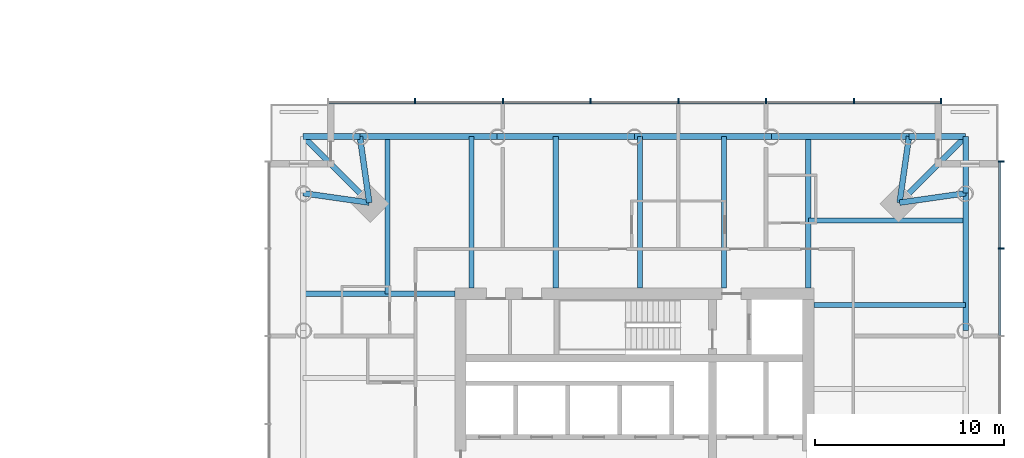
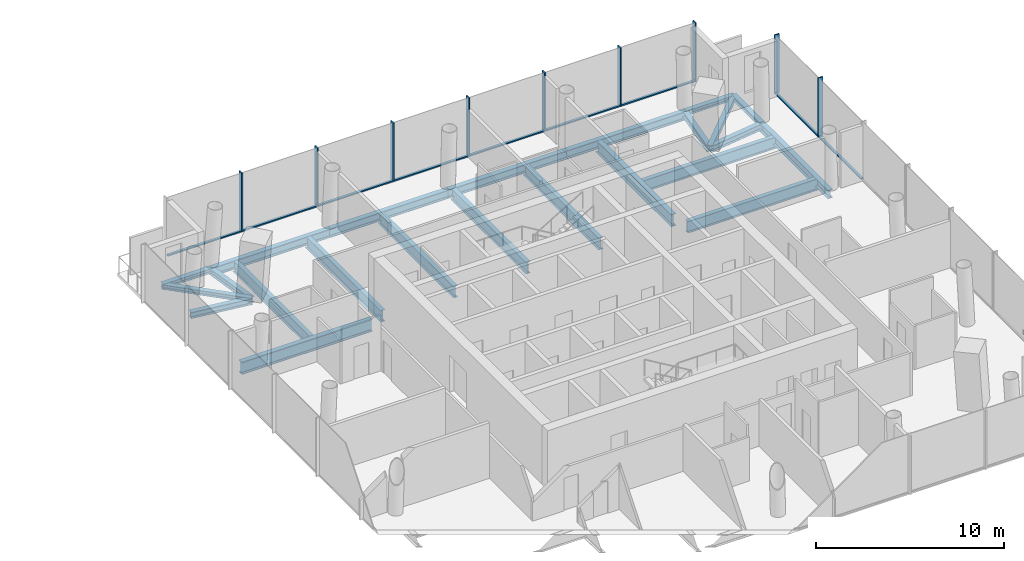
# One storey, part 5 of 18: 23 beams, 18 members, 2 elements without a shape of their own.
"""IFC4 building model written with IfcOpenShell, lengths in metres."""

from ifc_helpers import new_model, si_unit, direction, frame, origin, origin_2d, place, context, subcontext, project, spatial, rectangle, i_section, extrude, material, material_profile, profile_set, type_object, element, aggregate, save


model = new_model("IFC4")

# Units and contexts
model_context = context("Model", 3, precision=1e-05, world=origin(), true_north=direction((0.0, 1.0)))
body_context = subcontext(model_context, "Body", "Model", "MODEL_VIEW")
ifc_project = project(units=[si_unit("LENGTHUNIT", "METRE"), si_unit("AREAUNIT", "SQUARE_METRE"), si_unit("VOLUMEUNIT", "CUBIC_METRE"), si_unit("PLANEANGLEUNIT", "RADIAN"), si_unit("MASSUNIT", "GRAM", prefix="KILO")], contexts=[model_context])

# Site, building, storey
site_placement = place(None, origin())
site = spatial("IfcSite", under=ifc_project, at=site_placement, CompositionType="ELEMENT")
building_placement = place(site_placement, origin())
building = spatial("IfcBuilding", under=site, at=building_placement, Name="Ostroluk Exchange", CompositionType="ELEMENT")
storey_placement = place(building_placement, frame((0.0, 0.0, 55.199951171875)))
storey = spatial("IfcBuildingStorey", under=building, at=storey_placement, Name="L13", CompositionType="ELEMENT", Elevation=55.199951171875)

# Beams
ifc_material_1 = material(Name="Steel S355", Category="steel")
ifc_material_profile_1 = material_profile(ifc_material_1, i_section(OverallWidth=0.300048828125, OverallDepth=0.300048828125, WebThickness=0.010986328125, FlangeThickness=0.01904296875, FilletRadius=0.027099609375, at=origin_2d()), Name="HEB 300")
ifc_profile_set_1 = profile_set([ifc_material_profile_1], Name="Steel S355")
beam_type_1 = type_object("IfcBeamType", Name="Balcony beam HEB 300", PredefinedType="BEAM", material=ifc_profile_set_1)
for number, where, z_axis, x_axis, name in (
    (1, (134.52587890625, 60.52587890625, -0.349853515625), (0.0, 1.0, 0.0), (-1.0, 0.0, 0.0), "T2 east balcony beam a"),
    (2, (131.52587890625, 63.52587890625, -0.349853515625), (1.0, 0.0, 0.0), (0.0, 1.0, 0.0), "T2 east balcony beam b"),
):
    element("IfcBeam", number, at=place(storey_placement, frame(where, z_axis=z_axis, x_axis=x_axis)), inside=storey, type_object=beam_type_1, Name=name, PredefinedType="BEAM", context=body_context, shape_type="SweptSolid", body=[
        extrude(i_section(OverallWidth=0.300048828125, OverallDepth=0.300048828125, WebThickness=0.010986328125, FlangeThickness=0.01904296875, FilletRadius=0.027099609375, at=origin_2d()), origin(), (0.0, 0.0, 1.0), 3.0),
    ])
beam_1_placement = place(storey_placement, frame((131.02587890625, 60.02587890625, -0.349853515625), z_axis=(0.707106781187, 0.707106781187, 0.0), x_axis=(-0.707106781187, 0.707106781187, 0.0)))
element("IfcBeam", 3, at=beam_1_placement, inside=storey, type_object=beam_type_1, Name="T2 east balcony beam c", PredefinedType="BEAM", context=body_context, shape_type="SweptSolid", body=[
    extrude(i_section(OverallWidth=0.300048828125, OverallDepth=0.300048828125, WebThickness=0.010986328125, FlangeThickness=0.01904296875, FilletRadius=0.027099609375, at=origin_2d()), origin(), (0.0, 0.0, 1.0), 4.94970703125),
])
beam_2_placement = place(storey_placement, frame((102.47412109375, 63.52587890625, -0.349853515625), z_axis=(-1.0, 0.0, 0.0), x_axis=(0.0, -1.0, 0.0)))
element("IfcBeam", 4, at=beam_2_placement, inside=storey, type_object=beam_type_1, Name="T2 north balcony beam a", PredefinedType="BEAM", context=body_context, shape_type="SweptSolid", body=[
    extrude(i_section(OverallWidth=0.300048828125, OverallDepth=0.300048828125, WebThickness=0.010986328125, FlangeThickness=0.01904296875, FilletRadius=0.027099609375, at=origin_2d()), origin(), (0.0, 0.0, 1.0), 3.0),
])
beam_3_placement = place(storey_placement, frame((102.97412109375, 60.02587890625, -0.349853515625), z_axis=(-0.707106781187, 0.707106781187, 0.0), x_axis=(-0.707106781187, -0.707106781187, 0.0)))
element("IfcBeam", 5, at=beam_3_placement, inside=storey, type_object=beam_type_1, Name="T2 north balcony beam c", PredefinedType="BEAM", context=body_context, shape_type="SweptSolid", body=[
    extrude(i_section(OverallWidth=0.300048828125, OverallDepth=0.300048828125, WebThickness=0.010986328125, FlangeThickness=0.01904296875, FilletRadius=0.027099609375, at=origin_2d()), origin(), (0.0, 0.0, 1.0), 4.94970703125),
])
ifc_material_2 = material(Name="Steel S355", Category="steel")
ifc_material_profile_2 = material_profile(ifc_material_2, i_section(OverallWidth=0.300048828125, OverallDepth=0.39990234375, WebThickness=0.013427734375, FlangeThickness=0.02392578125, FilletRadius=0.027099609375, at=origin_2d()), Name="HEB 400")
ifc_profile_set_2 = profile_set([ifc_material_profile_2], Name="Steel S355")
beam_type_2 = type_object("IfcBeamType", Name="Corner edge beam HEB 400", PredefinedType="SPANDREL", material=ifc_profile_set_2)
for number, where, z_axis, x_axis, name in (
    (6, (131.02587890625, 60.02587890625, -0.39990234375), (0.989949493661, 0.141421356237, 0.0), (-0.141421356237, 0.989949493661, 0.0), "T2 east corner edge beam a"),
    (7, (131.02587890625, 60.02587890625, -0.39990234375), (0.141421356237, 0.989949493661, 0.0), (-0.989949493661, 0.141421356237, 0.0), "T2 east corner edge beam b"),
    (8, (102.97412109375, 60.02587890625, -0.39990234375), (-0.141421356237, 0.989949493661, 0.0), (-0.989949493661, -0.141421356237, 0.0), "T2 north corner edge beam a"),
    (9, (102.97412109375, 60.02587890625, -0.39990234375), (-0.989949493661, 0.141421356237, 0.0), (-0.141421356237, -0.989949493661, 0.0), "T2 north corner edge beam b"),
):
    element("IfcBeam", number, at=place(storey_placement, frame(where, z_axis=z_axis, x_axis=x_axis)), inside=storey, type_object=beam_type_2, Name=name, PredefinedType="SPANDREL", context=body_context, shape_type="SweptSolid", body=[
        extrude(i_section(OverallWidth=0.300048828125, OverallDepth=0.39990234375, WebThickness=0.013427734375, FlangeThickness=0.02392578125, FilletRadius=0.027099609375, at=origin_2d()), origin(), (0.0, 0.0, 1.0), 3.53564453125),
    ])
ifc_material_3 = material(Name="Steel S355", Category="steel")
ifc_material_profile_3 = material_profile(ifc_material_3, i_section(OverallWidth=0.264892578125, OverallDepth=0.7529296875, WebThickness=0.01318359375, FlangeThickness=0.01708984375, FilletRadius=0.01708984375, at=origin_2d()), Name="IPE 750x147")
ifc_profile_set_3 = profile_set([ifc_material_profile_3], Name="Steel S355")
beam_type_3 = type_object("IfcBeamType", Name="Floor beam IPE 750x147", PredefinedType="BEAM", material=ifc_profile_set_3)
beam_4_placement = place(storey_placement, frame((126.5, 54.6171875, -0.576416015625), z_axis=(1.0, 0.0, 0.0), x_axis=(0.0, 1.0, 0.0)))
element("IfcBeam", 10, at=beam_4_placement, inside=storey, type_object=beam_type_3, Name="T2 east floor beam 4", PredefinedType="BEAM", context=body_context, shape_type="SweptSolid", body=[
    extrude(i_section(OverallWidth=0.264892578125, OverallDepth=0.7529296875, WebThickness=0.01318359375, FlangeThickness=0.01708984375, FilletRadius=0.01708984375, at=origin_2d()), origin(), (0.0, 0.0, 1.0), 8.02587890625),
])
beam_5_placement = place(storey_placement, frame((126.199951171875, 59.071533203125, -0.576416015625), z_axis=(1.0, 0.0, 0.0), x_axis=(0.0, 1.0, 0.0)))
element("IfcBeam", 11, at=beam_5_placement, inside=storey, type_object=beam_type_3, Name="T2 east floor beam 5", PredefinedType="BEAM", context=body_context, shape_type="SweptSolid", body=[
    extrude(i_section(OverallWidth=0.264892578125, OverallDepth=0.7529296875, WebThickness=0.01318359375, FlangeThickness=0.01708984375, FilletRadius=0.01708984375, at=origin_2d()), origin(), (0.0, 0.0, 1.0), 8.325927734375),
])
for number, where, z_axis, x_axis, name in (
    (12, (121.74560546875, 55.5, -0.576416015625), (0.0, 1.0, 0.0), (-1.0, 0.0, 0.0), "T2 north floor beam 1"),
    (13, (117.291259765625, 55.5, -0.576416015625), (0.0, 1.0, 0.0), (-1.0, 0.0, 0.0), "T2 north floor beam 2"),
    (14, (112.837158203125, 55.5, -0.576416015625), (0.0, 1.0, 0.0), (-1.0, 0.0, 0.0), "T2 north floor beam 3"),
    (15, (108.3828125, 55.5, -0.576416015625), (0.0, 1.0, 0.0), (-1.0, 0.0, 0.0), "T2 north floor beam 4"),
):
    element("IfcBeam", number, at=place(storey_placement, frame(where, z_axis=z_axis, x_axis=x_axis)), inside=storey, type_object=beam_type_3, Name=name, PredefinedType="BEAM", context=body_context, shape_type="SweptSolid", body=[
        extrude(i_section(OverallWidth=0.264892578125, OverallDepth=0.7529296875, WebThickness=0.01318359375, FlangeThickness=0.01708984375, FilletRadius=0.01708984375, at=origin_2d()), origin(), (0.0, 0.0, 1.0), 8.02587890625),
    ])
beam_6_placement = place(storey_placement, frame((103.928466796875, 55.199951171875, -0.576416015625), z_axis=(0.0, 1.0, 0.0), x_axis=(-1.0, 0.0, 0.0)))
element("IfcBeam", 16, at=beam_6_placement, inside=storey, type_object=beam_type_3, Name="T2 north floor beam 5", PredefinedType="BEAM", context=body_context, shape_type="SweptSolid", body=[
    extrude(i_section(OverallWidth=0.264892578125, OverallDepth=0.7529296875, WebThickness=0.01318359375, FlangeThickness=0.01708984375, FilletRadius=0.01708984375, at=origin_2d()), origin(), (0.0, 0.0, 1.0), 8.325927734375),
])
ifc_material_4 = material(Name="Steel S355", Category="steel")
ifc_material_profile_4 = material_profile(ifc_material_4, i_section(OverallWidth=0.300048828125, OverallDepth=0.800048828125, WebThickness=0.017578125, FlangeThickness=0.032958984375, FilletRadius=0.030029296875, at=origin_2d()), Name="HEB 800")
ifc_profile_set_4 = profile_set([ifc_material_profile_4], Name="Steel S355")
beam_type_4 = type_object("IfcBeamType", Name="Girder HEB 800", PredefinedType="BEAM", material=ifc_profile_set_4)
for number, where, z_axis, x_axis, name in (
    (17, (126.199951171875, 55.5, -0.599853515625), (0.0, 1.0, 0.0), (-1.0, 0.0, 0.0), "T2 east girder"),
    (18, (107.5, 55.199951171875, -0.599853515625), (-1.0, 0.0, 0.0), (0.0, -1.0, 0.0), "T2 north girder"),
):
    element("IfcBeam", number, at=place(storey_placement, frame(where, z_axis=z_axis, x_axis=x_axis)), inside=storey, type_object=beam_type_4, Name=name, PredefinedType="BEAM", context=body_context, shape_type="SweptSolid", body=[
        extrude(i_section(OverallWidth=0.300048828125, OverallDepth=0.800048828125, WebThickness=0.017578125, FlangeThickness=0.032958984375, FilletRadius=0.030029296875, at=origin_2d()), origin(), (0.0, 0.0, 1.0), 8.02587890625),
    ])
ifc_material_5 = material(Name="Steel S355", Category="steel")
ifc_material_profile_5 = material_profile(ifc_material_5, i_section(OverallWidth=0.300048828125, OverallDepth=0.550048828125, WebThickness=0.014892578125, FlangeThickness=0.029052734375, FilletRadius=0.027099609375, at=origin_2d()), Name="HEB 550")
ifc_profile_set_5 = profile_set([ifc_material_profile_5], Name="Steel S355")
beam_type_5 = type_object("IfcBeamType", Name="Moment-connected edge beam HEB 550", PredefinedType="SPANDREL", material=ifc_profile_set_5)
for number, where, z_axis, x_axis, name in (
    (19, (134.52587890625, 53.262939453125, -0.474853515625), (0.0, 1.0, 0.0), (-1.0, 0.0, 0.0), "T2 east edge beam 4"),
    (20, (131.52587890625, 63.52587890625, -0.474853515625), (-1.0, 0.0, 0.0), (0.0, -1.0, 0.0), "T2 north edge beam 1"),
    (21, (124.262939453125, 63.52587890625, -0.474853515625), (-1.0, 0.0, 0.0), (0.0, -1.0, 0.0), "T2 north edge beam 2"),
    (22, (117.0, 63.52587890625, -0.474853515625), (-1.0, 0.0, 0.0), (0.0, -1.0, 0.0), "T2 north edge beam 3"),
    (23, (109.737060546875, 63.52587890625, -0.474853515625), (-1.0, 0.0, 0.0), (0.0, -1.0, 0.0), "T2 north edge beam 4"),
):
    element("IfcBeam", number, at=place(storey_placement, frame(where, z_axis=z_axis, x_axis=x_axis)), inside=storey, type_object=beam_type_5, Name=name, PredefinedType="SPANDREL", context=body_context, shape_type="SweptSolid", body=[
        extrude(i_section(OverallWidth=0.300048828125, OverallDepth=0.550048828125, WebThickness=0.014892578125, FlangeThickness=0.029052734375, FilletRadius=0.027099609375, at=origin_2d()), origin(), (0.0, 0.0, 1.0), 7.262939453125),
    ])

# Curtain wall, members
ifc_material_6 = material(Name="Laminated clear glass", Category="glass")
curtain_wall_type = type_object("IfcCurtainWallType", Name="Hotel guest floor facade", PredefinedType="USERDEFINED", material=ifc_material_6)
curtain_wall_1_placement = place(storey_placement, origin())
curtain_wall_1 = element("IfcCurtainWall", 24, at=curtain_wall_1_placement, inside=storey, type_object=curtain_wall_type, Name="Hotel tower east facade L13", ObjectType="UNITISED CURTAIN WALL", PredefinedType="USERDEFINED")
ifc_material_7 = material(Name="Aluminium mullion", Category="aluminium")
ifc_material_profile_6 = material_profile(ifc_material_7, rectangle(XDim=0.14990234375, YDim=0.080078125, at=origin_2d()), Name="Sill transom 80 x 150")
ifc_profile_set_6 = profile_set([ifc_material_profile_6], Name="Aluminium mullion")
member_type_1 = type_object("IfcMemberType", Name="Sill transom 80 x 150", PredefinedType="USERDEFINED", material=ifc_profile_set_6)
member_1_placement = place(storey_placement, frame((136.324951171875, 53.00439453125, 0.0400390625), z_axis=(0.0, 1.0, 0.0), x_axis=(-1.0, 0.0, 0.0)))
member_1 = element("IfcMember", 25, at=member_1_placement, type_object=member_type_1, Name="CW-H1 transom 6.1", ObjectType="TRANSOM", PredefinedType="USERDEFINED", context=body_context, shape_type="SweptSolid", body=[
    extrude(rectangle(XDim=0.14990234375, YDim=0.080078125, at=origin_2d()), origin(), (0.0, 0.0, 1.0), 4.562744140625),
])
member_2_placement = place(storey_placement, frame((136.324951171875, 57.647216796875, 0.0400390625), z_axis=(0.0, 1.0, 0.0), x_axis=(-1.0, 0.0, 0.0)))
member_2 = element("IfcMember", 26, at=member_2_placement, type_object=member_type_1, Name="CW-H1 transom 7.1", ObjectType="TRANSOM", PredefinedType="USERDEFINED", context=body_context, shape_type="SweptSolid", body=[
    extrude(rectangle(XDim=0.14990234375, YDim=0.080078125, at=origin_2d()), origin(), (0.0, 0.0, 1.0), 4.522705078125),
])

curtain_wall_2_placement = place(storey_placement, origin())
curtain_wall_2 = element("IfcCurtainWall", 27, at=curtain_wall_2_placement, inside=storey, type_object=curtain_wall_type, Name="Hotel tower north facade L13", ObjectType="UNITISED CURTAIN WALL", PredefinedType="USERDEFINED")
member_3_placement = place(storey_placement, frame((133.169921875, 65.324951171875, 0.0400390625), z_axis=(-1.0, 0.0, 0.0), x_axis=(0.0, -1.0, 0.0)))
member_3 = element("IfcMember", 28, at=member_3_placement, type_object=member_type_1, Name="CW-H1 transom 1.1", ObjectType="TRANSOM", PredefinedType="USERDEFINED", context=body_context, shape_type="SweptSolid", body=[
    extrude(rectangle(XDim=0.14990234375, YDim=0.080078125, at=origin_2d()), origin(), (0.0, 0.0, 1.0), 4.522705078125),
])
member_4_placement = place(storey_placement, frame((128.567138671875, 65.324951171875, 0.0400390625), z_axis=(-1.0, 0.0, 0.0), x_axis=(0.0, -1.0, 0.0)))
member_4 = element("IfcMember", 29, at=member_4_placement, type_object=member_type_1, Name="CW-H1 transom 2.1", ObjectType="TRANSOM", PredefinedType="USERDEFINED", context=body_context, shape_type="SweptSolid", body=[
    extrude(rectangle(XDim=0.14990234375, YDim=0.080078125, at=origin_2d()), origin(), (0.0, 0.0, 1.0), 4.562744140625),
])
member_5_placement = place(storey_placement, frame((123.92431640625, 65.324951171875, 0.0400390625), z_axis=(-1.0, 0.0, 0.0), x_axis=(0.0, -1.0, 0.0)))
member_5 = element("IfcMember", 30, at=member_5_placement, type_object=member_type_1, Name="CW-H1 transom 3.1", ObjectType="TRANSOM", PredefinedType="USERDEFINED", context=body_context, shape_type="SweptSolid", body=[
    extrude(rectangle(XDim=0.14990234375, YDim=0.080078125, at=origin_2d()), origin(), (0.0, 0.0, 1.0), 4.56298828125),
])
member_6_placement = place(storey_placement, frame((119.281494140625, 65.324951171875, 0.0400390625), z_axis=(-1.0, 0.0, 0.0), x_axis=(0.0, -1.0, 0.0)))
member_6 = element("IfcMember", 31, at=member_6_placement, type_object=member_type_1, Name="CW-H1 transom 4.1", ObjectType="TRANSOM", PredefinedType="USERDEFINED", context=body_context, shape_type="SweptSolid", body=[
    extrude(rectangle(XDim=0.14990234375, YDim=0.080078125, at=origin_2d()), origin(), (0.0, 0.0, 1.0), 4.56298828125),
])
member_7_placement = place(storey_placement, frame((114.638671875, 65.324951171875, 0.0400390625), z_axis=(-1.0, 0.0, 0.0), x_axis=(0.0, -1.0, 0.0)))
member_7 = element("IfcMember", 32, at=member_7_placement, type_object=member_type_1, Name="CW-H1 transom 5.1", ObjectType="TRANSOM", PredefinedType="USERDEFINED", context=body_context, shape_type="SweptSolid", body=[
    extrude(rectangle(XDim=0.14990234375, YDim=0.080078125, at=origin_2d()), origin(), (0.0, 0.0, 1.0), 4.56298828125),
])
member_8_placement = place(storey_placement, frame((109.99560546875, 65.324951171875, 0.0400390625), z_axis=(-1.0, 0.0, 0.0), x_axis=(0.0, -1.0, 0.0)))
member_8 = element("IfcMember", 33, at=member_8_placement, type_object=member_type_1, Name="CW-H1 transom 6.1", ObjectType="TRANSOM", PredefinedType="USERDEFINED", context=body_context, shape_type="SweptSolid", body=[
    extrude(rectangle(XDim=0.14990234375, YDim=0.080078125, at=origin_2d()), origin(), (0.0, 0.0, 1.0), 4.562744140625),
])
member_9_placement = place(storey_placement, frame((105.352783203125, 65.324951171875, 0.0400390625), z_axis=(-1.0, 0.0, 0.0), x_axis=(0.0, -1.0, 0.0)))
member_9 = element("IfcMember", 34, at=member_9_placement, type_object=member_type_1, Name="CW-H1 transom 7.1", ObjectType="TRANSOM", PredefinedType="USERDEFINED", context=body_context, shape_type="SweptSolid", body=[
    extrude(rectangle(XDim=0.14990234375, YDim=0.080078125, at=origin_2d()), origin(), (0.0, 0.0, 1.0), 4.522705078125),
])

# Member
ifc_material_8 = material(Name="Aluminium mullion with limestone facing", Category="masonry")
ifc_material_profile_7 = material_profile(ifc_material_8, rectangle(XDim=0.300048828125, YDim=0.080078125, at=origin_2d()), Name="Tracery mullion 80 x 300")
ifc_profile_set_7 = profile_set([ifc_material_profile_7], Name="Aluminium mullion with limestone facing")
member_type_2 = type_object("IfcMemberType", Name="Tracery mullion 80 x 300", PredefinedType="MULLION", material=ifc_profile_set_7)
member_10_placement = place(storey_placement, frame((136.39990234375, 57.607177734375, 0.0), z_axis=(0.0, 0.0, 1.0), x_axis=(-1.0, 0.0, 0.0)))
member_10 = element("IfcMember", 35, at=member_10_placement, type_object=member_type_2, Name="CW-H1 mullion 7", PredefinedType="MULLION", context=body_context, shape_type="SweptSolid", body=[
    extrude(rectangle(XDim=0.300048828125, YDim=0.080078125, at=origin_2d()), origin(), (0.0, 0.0, 1.0), 3.800048828125),
])

member_11_placement = place(storey_placement, frame((136.39990234375, 62.2099609375, 0.0), z_axis=(0.0, 0.0, 1.0), x_axis=(-1.0, 0.0, 0.0)))
member_11 = element("IfcMember", 36, at=member_11_placement, type_object=member_type_2, Name="CW-H1 mullion 8", PredefinedType="MULLION", context=body_context, shape_type="SweptSolid", body=[
    extrude(rectangle(XDim=0.300048828125, YDim=0.080078125, at=origin_2d()), origin(), (0.0, 0.0, 1.0), 3.800048828125),
])

aggregate(curtain_wall_1, [member_10, member_11, member_1, member_2])

member_12_placement = place(storey_placement, frame((133.2099609375, 65.39990234375, 0.0), z_axis=(0.0, 0.0, 1.0), x_axis=(0.0, -1.0, 0.0)))
member_12 = element("IfcMember", 37, at=member_12_placement, type_object=member_type_2, Name="CW-H1 mullion 1", PredefinedType="MULLION", context=body_context, shape_type="SweptSolid", body=[
    extrude(rectangle(XDim=0.300048828125, YDim=0.080078125, at=origin_2d()), origin(), (0.0, 0.0, 1.0), 3.800048828125),
])

member_13_placement = place(storey_placement, frame((128.607177734375, 65.39990234375, 0.0), z_axis=(0.0, 0.0, 1.0), x_axis=(0.0, -1.0, 0.0)))
member_13 = element("IfcMember", 38, at=member_13_placement, type_object=member_type_2, Name="CW-H1 mullion 2", PredefinedType="MULLION", context=body_context, shape_type="SweptSolid", body=[
    extrude(rectangle(XDim=0.300048828125, YDim=0.080078125, at=origin_2d()), origin(), (0.0, 0.0, 1.0), 3.800048828125),
])

member_14_placement = place(storey_placement, frame((123.96435546875, 65.39990234375, 0.0), z_axis=(0.0, 0.0, 1.0), x_axis=(0.0, -1.0, 0.0)))
member_14 = element("IfcMember", 39, at=member_14_placement, type_object=member_type_2, Name="CW-H1 mullion 3", PredefinedType="MULLION", context=body_context, shape_type="SweptSolid", body=[
    extrude(rectangle(XDim=0.300048828125, YDim=0.080078125, at=origin_2d()), origin(), (0.0, 0.0, 1.0), 3.800048828125),
])

member_15_placement = place(storey_placement, frame((119.321533203125, 65.39990234375, 0.0), z_axis=(0.0, 0.0, 1.0), x_axis=(0.0, -1.0, 0.0)))
member_15 = element("IfcMember", 40, at=member_15_placement, type_object=member_type_2, Name="CW-H1 mullion 4", PredefinedType="MULLION", context=body_context, shape_type="SweptSolid", body=[
    extrude(rectangle(XDim=0.300048828125, YDim=0.080078125, at=origin_2d()), origin(), (0.0, 0.0, 1.0), 3.800048828125),
])

member_16_placement = place(storey_placement, frame((114.678466796875, 65.39990234375, 0.0), z_axis=(0.0, 0.0, 1.0), x_axis=(0.0, -1.0, 0.0)))
member_16 = element("IfcMember", 41, at=member_16_placement, type_object=member_type_2, Name="CW-H1 mullion 5", PredefinedType="MULLION", context=body_context, shape_type="SweptSolid", body=[
    extrude(rectangle(XDim=0.300048828125, YDim=0.080078125, at=origin_2d()), origin(), (0.0, 0.0, 1.0), 3.800048828125),
])

member_17_placement = place(storey_placement, frame((110.03564453125, 65.39990234375, 0.0), z_axis=(0.0, 0.0, 1.0), x_axis=(0.0, -1.0, 0.0)))
member_17 = element("IfcMember", 42, at=member_17_placement, type_object=member_type_2, Name="CW-H1 mullion 6", PredefinedType="MULLION", context=body_context, shape_type="SweptSolid", body=[
    extrude(rectangle(XDim=0.300048828125, YDim=0.080078125, at=origin_2d()), origin(), (0.0, 0.0, 1.0), 3.800048828125),
])

member_18_placement = place(storey_placement, frame((105.392822265625, 65.39990234375, 0.0), z_axis=(0.0, 0.0, 1.0), x_axis=(0.0, -1.0, 0.0)))
member_18 = element("IfcMember", 43, at=member_18_placement, type_object=member_type_2, Name="CW-H1 mullion 7", PredefinedType="MULLION", context=body_context, shape_type="SweptSolid", body=[
    extrude(rectangle(XDim=0.300048828125, YDim=0.080078125, at=origin_2d()), origin(), (0.0, 0.0, 1.0), 3.800048828125),
])

aggregate(curtain_wall_2, [member_12, member_13, member_14, member_15, member_16, member_17, member_18, member_3, member_4, member_5, member_6, member_7, member_8, member_9])

save(model, "model.ifc")
